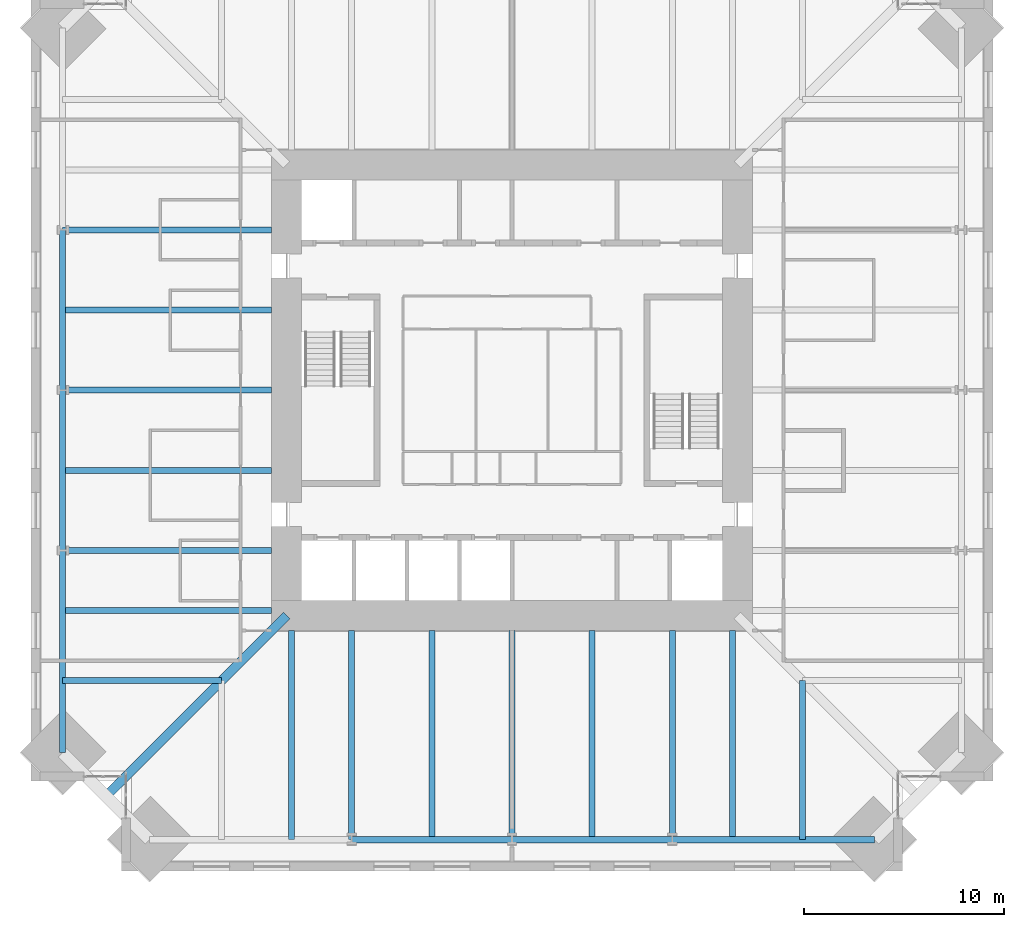
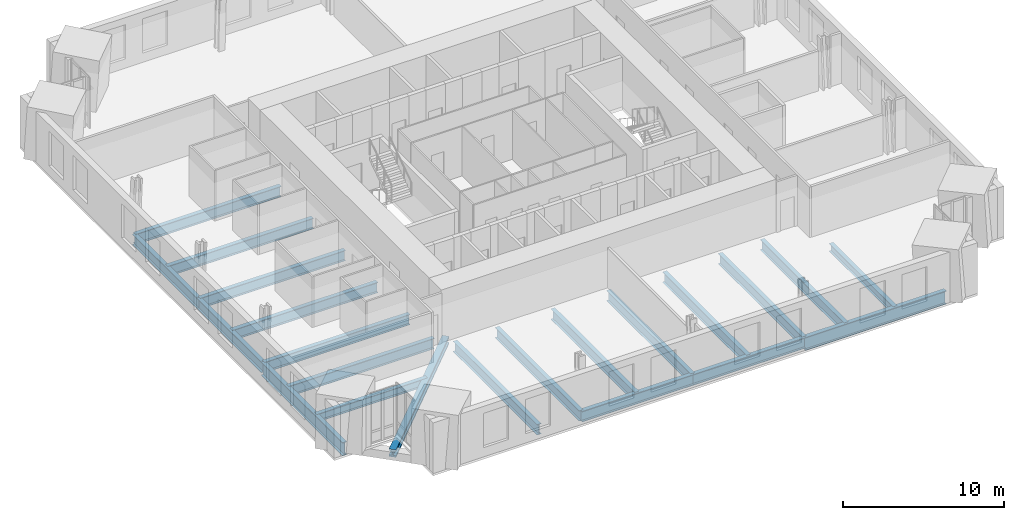
# One storey, part 3 of 15: 22 beams.
"""IFC4 building model written with IfcOpenShell, lengths in metres."""

from ifc_helpers import new_model, si_unit, direction, frame, origin, origin_2d, place, context, subcontext, project, spatial, i_section, extrude, material, material_profile, profile_set, type_object, element, save


model = new_model("IFC4")

# Units and contexts
model_context = context("Model", 3, precision=1e-05, world=origin(), true_north=direction((0.0, 1.0)))
body_context = subcontext(model_context, "Body", "Model", "MODEL_VIEW")
ifc_project = project(units=[si_unit("LENGTHUNIT", "METRE"), si_unit("AREAUNIT", "SQUARE_METRE"), si_unit("VOLUMEUNIT", "CUBIC_METRE"), si_unit("PLANEANGLEUNIT", "RADIAN"), si_unit("MASSUNIT", "GRAM", prefix="KILO")], contexts=[model_context])

# Site, building, storey
site_placement = place(None, origin())
site = spatial("IfcSite", under=ifc_project, at=site_placement, CompositionType="ELEMENT")
building_placement = place(site_placement, origin())
building = spatial("IfcBuilding", under=site, at=building_placement, Name="Peilmerk Tower", CompositionType="ELEMENT")
storey_placement = place(building_placement, frame((0.0, 0.0, 209.800048828125)))
storey = spatial("IfcBuildingStorey", under=building, at=storey_placement, Name="L45", CompositionType="ELEMENT", Elevation=209.800048828125)

# Beams
ifc_material_1 = material(Name="Steel S355", Category="steel")
ifc_material_profile_1 = material_profile(ifc_material_1, i_section(OverallWidth=0.302001953125, OverallDepth=1.008056640625, WebThickness=0.02099609375, FlangeThickness=0.0400390625, at=origin_2d()), Name="HEM 1000")
ifc_profile_set_1 = profile_set([ifc_material_profile_1], Name="Steel S355")
beam_type_1 = type_object("IfcBeamType", Name="B1 HEM 1000 edge beam", PredefinedType="SPANDREL", material=ifc_profile_set_1)
for number, where, z_axis, x_axis, name in (
    (1, (8.0, -22.43701171875, -0.674072265625), (1.0, 0.0, 0.0), (0.0, 1.0, 0.0), "Edge beam L45"),
    (2, (-22.43701171875, -8.0, -0.674072265625), (0.0, -1.0, 0.0), (1.0, 0.0, 0.0), "Edge beam L45"),
):
    element("IfcBeam", number, at=place(storey_placement, frame(where, z_axis=z_axis, x_axis=x_axis)), inside=storey, type_object=beam_type_1, Name=name, PredefinedType="SPANDREL", context=body_context, shape_type="SweptSolid", body=[
        extrude(i_section(OverallWidth=0.302001953125, OverallDepth=1.008056640625, WebThickness=0.02099609375, FlangeThickness=0.0400390625, at=origin_2d()), origin(), (0.0, 0.0, 1.0), 10.087158203125),
    ])
ifc_material_profile_2 = material_profile(ifc_material_1, i_section(OverallWidth=0.302978515625, OverallDepth=0.81396484375, WebThickness=0.02099609375, FlangeThickness=0.0400390625, at=origin_2d()), Name="HEM 800")
ifc_profile_set_2 = profile_set([ifc_material_profile_2], Name="Steel S355")
beam_type_2 = type_object("IfcBeamType", Name="B15 HEM 800 edge beam", PredefinedType="SPANDREL", material=ifc_profile_set_2)
for number, where, z_axis, x_axis, name in (
    (3, (-8.0, -22.43701171875, -0.5771484375), (1.0, 0.0, 0.0), (0.0, 1.0, 0.0), "Edge beam L45"),
    (4, (0.0, -22.43701171875, -0.5771484375), (1.0, 0.0, 0.0), (0.0, 1.0, 0.0), "Edge beam L45"),
    (5, (-22.43701171875, 8.0, -0.5771484375), (0.0, -1.0, 0.0), (1.0, 0.0, 0.0), "Edge beam L45"),
    (6, (-22.43701171875, 0.0, -0.5771484375), (0.0, -1.0, 0.0), (1.0, 0.0, 0.0), "Edge beam L45"),
):
    element("IfcBeam", number, at=place(storey_placement, frame(where, z_axis=z_axis, x_axis=x_axis)), inside=storey, type_object=beam_type_2, Name=name, PredefinedType="SPANDREL", context=body_context, shape_type="SweptSolid", body=[
        extrude(i_section(OverallWidth=0.302978515625, OverallDepth=0.81396484375, WebThickness=0.02099609375, FlangeThickness=0.0400390625, at=origin_2d()), origin(), (0.0, 0.0, 1.0), 8.0),
    ])
ifc_material_profile_3 = material_profile(ifc_material_1, i_section(OverallWidth=0.300048828125, OverallDepth=0.590087890625, WebThickness=0.012939453125, FlangeThickness=0.02490234375, at=origin_2d()), Name="HEA 600")
ifc_profile_set_3 = profile_set([ifc_material_profile_3], Name="Steel S355")
beam_type_3 = type_object("IfcBeamType", Name="B27 HEA 600 floor beam", PredefinedType="BEAM", material=ifc_profile_set_3)
for number, where, z_axis, x_axis, name in (
    (7, (14.5, -14.5, -0.465087890625), (0.0, -1.0, 0.0), (1.0, 0.0, 0.0), "Floor beam L45"),
    (8, (-14.5, -14.5, -0.465087890625), (-1.0, 0.0, 0.0), (0.0, -1.0, 0.0), "Floor beam L45"),
):
    element("IfcBeam", number, at=place(storey_placement, frame(where, z_axis=z_axis, x_axis=x_axis)), inside=storey, type_object=beam_type_3, Name=name, PredefinedType="BEAM", context=body_context, shape_type="SweptSolid", body=[
        extrude(i_section(OverallWidth=0.300048828125, OverallDepth=0.590087890625, WebThickness=0.012939453125, FlangeThickness=0.02490234375, at=origin_2d()), origin(), (0.0, 0.0, 1.0), 7.93701171875),
    ])
ifc_material_profile_4 = material_profile(ifc_material_1, i_section(OverallWidth=0.300048828125, OverallDepth=0.7900390625, WebThickness=0.014892578125, FlangeThickness=0.028076171875, at=origin_2d()), Name="HEA 800")
ifc_profile_set_4 = profile_set([ifc_material_profile_4], Name="Steel S355")
beam_type_4 = type_object("IfcBeamType", Name="B3 HEA 800 floor beam", PredefinedType="BEAM", material=ifc_profile_set_4)
for number, where, z_axis, x_axis, name in (
    (9, (-11.0, -12.0, -0.56494140625), (0.0, -1.0, 0.0), (1.0, 0.0, 0.0), "Floor beam L45"),
    (10, (-8.0, -12.0, -0.56494140625), (0.0, -1.0, 0.0), (1.0, 0.0, 0.0), "Floor beam L45"),
    (11, (-4.0, -12.0, -0.56494140625), (0.0, -1.0, 0.0), (1.0, 0.0, 0.0), "Floor beam L45"),
    (12, (0.0, -12.0, -0.56494140625), (0.0, -1.0, 0.0), (1.0, 0.0, 0.0), "Floor beam L45"),
    (13, (4.0, -12.0, -0.56494140625), (0.0, -1.0, 0.0), (1.0, 0.0, 0.0), "Floor beam L45"),
    (14, (8.0, -12.0, -0.56494140625), (0.0, -1.0, 0.0), (1.0, 0.0, 0.0), "Floor beam L45"),
    (15, (11.0, -12.0, -0.56494140625), (0.0, -1.0, 0.0), (1.0, 0.0, 0.0), "Floor beam L45"),
    (16, (-12.0, 8.0, -0.56494140625), (-1.0, 0.0, 0.0), (0.0, -1.0, 0.0), "Floor beam L45"),
    (17, (-12.0, 4.0, -0.56494140625), (-1.0, 0.0, 0.0), (0.0, -1.0, 0.0), "Floor beam L45"),
    (18, (-12.0, 0.0, -0.56494140625), (-1.0, 0.0, 0.0), (0.0, -1.0, 0.0), "Floor beam L45"),
    (19, (-12.0, -4.0, -0.56494140625), (-1.0, 0.0, 0.0), (0.0, -1.0, 0.0), "Floor beam L45"),
    (20, (-12.0, -8.0, -0.56494140625), (-1.0, 0.0, 0.0), (0.0, -1.0, 0.0), "Floor beam L45"),
    (21, (-12.0, -11.0, -0.56494140625), (-1.0, 0.0, 0.0), (0.0, -1.0, 0.0), "Floor beam L45"),
):
    element("IfcBeam", number, at=place(storey_placement, frame(where, z_axis=z_axis, x_axis=x_axis)), inside=storey, type_object=beam_type_4, Name=name, PredefinedType="BEAM", context=body_context, shape_type="SweptSolid", body=[
        extrude(i_section(OverallWidth=0.300048828125, OverallDepth=0.7900390625, WebThickness=0.014892578125, FlangeThickness=0.028076171875, at=origin_2d()), origin(), (0.0, 0.0, 1.0), 10.43701171875),
    ])
ifc_material_2 = material(Name="Steel S460", Category="steel")
ifc_material_profile_5 = material_profile(ifc_material_2, i_section(OverallWidth=0.4541015625, OverallDepth=0.569091796875, WebThickness=0.077880859375, FlangeThickness=0.125, at=origin_2d()), Name="HD 400x1086")
ifc_profile_set_5 = profile_set([ifc_material_profile_5], Name="Steel S460")
beam_type_5 = type_object("IfcBeamType", Name="B9 HD 400x1086 corner girder", PredefinedType="BEAM", material=ifc_profile_set_5)
beam_placement = place(storey_placement, frame((-11.25, -11.25, -0.45458984375), z_axis=(-0.707106781187, -0.707106781187, 0.0), x_axis=(0.707106781187, -0.707106781187, 0.0)))
element("IfcBeam", 22, at=beam_placement, inside=storey, type_object=beam_type_5, Name="Corner girder L45", PredefinedType="BEAM", context=body_context, shape_type="SweptSolid", body=[
    extrude(i_section(OverallWidth=0.4541015625, OverallDepth=0.569091796875, WebThickness=0.077880859375, FlangeThickness=0.125, at=origin_2d()), origin(), (0.0, 0.0, 1.0), 12.7451171875),
])

save(model, "model.ifc")
